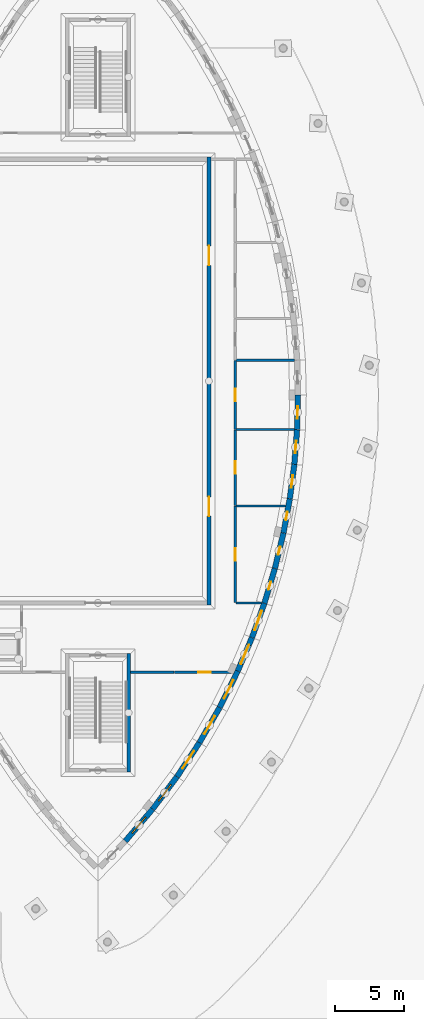
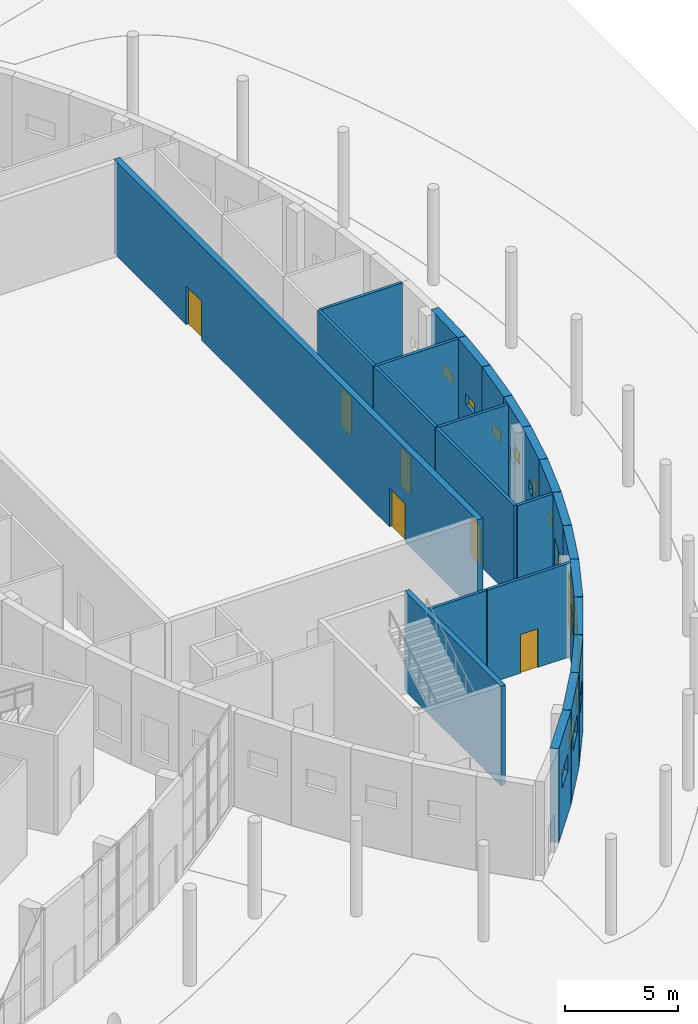
# One storey, part 65 of 82: 24 walls, 13 windows, 6 doors, 19 openings.
"""IFC4 building model written with IfcOpenShell, lengths in metres."""

from ifc_helpers import new_model, si_unit, direction, frame, frame_2d, origin, place, context, subcontext, project, spatial, rectangle, extrude, material, layer, layer_set, type_object, element, fill, save


model = new_model("IFC4")

# Units and contexts
model_context = context("Model", 3, precision=1e-05, world=origin(), true_north=direction((0.0, 1.0)))
body_context = subcontext(model_context, "Body", "Model", "MODEL_VIEW")
ifc_project = project(units=[si_unit("LENGTHUNIT", "METRE"), si_unit("AREAUNIT", "SQUARE_METRE"), si_unit("VOLUMEUNIT", "CUBIC_METRE"), si_unit("PLANEANGLEUNIT", "RADIAN"), si_unit("MASSUNIT", "GRAM", prefix="KILO")], contexts=[model_context])

# Site, building, storey
site_placement = place(None, origin())
site = spatial("IfcSite", under=ifc_project, at=site_placement, CompositionType="ELEMENT")
building_placement = place(site_placement, origin())
building = spatial("IfcBuilding", under=site, at=building_placement, Name="Tide Square Theatres", CompositionType="ELEMENT")
storey_placement = place(building_placement, origin())
storey = spatial("IfcBuildingStorey", under=building, at=storey_placement, Name="L00", CompositionType="ELEMENT", Elevation=0.0)

# Wall, opening, door
ifc_material_1 = material(Name="Gypsum board on steel studs", Category="steel")
ifc_layer_1 = layer(ifc_material_1, 0.14990234375)
ifc_layer_set_1 = layer_set([ifc_layer_1], Name="Gypsum board on steel studs")
wall_type_1 = type_object("IfcWallType", Name="Partition 150 thick", PredefinedType="PARTITIONING", material=ifc_layer_set_1)
wall_1_placement = place(storey_placement, frame((141.89990234375, 36.97998046875, 0.0), z_axis=(0.0, 0.0, 1.0), x_axis=(0.0, -1.0, 0.0)))
wall_1 = element("IfcWall", 1, at=wall_1_placement, inside=storey, type_object=wall_type_1, Name="Black Box Theatre partition", PredefinedType="PARTITIONING", context=body_context, shape_type="SweptSolid", body=[
    extrude(rectangle(XDim=6.9599609375, YDim=0.14990234375, at=frame_2d((3.47998046875, 0.0))), origin(), (0.0, 0.0, 1.0), 5.10009765625),
])
opening_1_placement = place(wall_1_placement, frame((3.030029296875, 0.0, 0.0)))
opening_1 = element("IfcOpeningElement", 2, at=opening_1_placement, cuts=wall_1, Name="Opening B00-16", PredefinedType="OPENING", context=body_context, shape_type="SweptSolid", body=[
    extrude(rectangle(XDim=0.89990234375, YDim=2.10009765625, at=frame_2d((0.449951171875, 1.050048828125))), frame((0.0, 0.0849609375, 0.0), z_axis=(0.0, -1.0, 0.0), x_axis=(1.0, 0.0, 0.0)), (0.0, 0.0, 1.0), 0.169921875),
])
ifc_material_2 = material(Name="Hardwood timber", Category="wood")
door_type_1 = type_object("IfcDoorType", Name="Door 900 x 2100 single leaf", OperationType="NOTDEFINED", PredefinedType="DOOR", material=ifc_material_2)
door_1_placement = place(opening_1_placement, origin())
door_1 = element("IfcDoor", 3, at=door_1_placement, inside=storey, type_object=door_type_1, Name="Plant Room 01 door", OperationType="SINGLE_SWING_RIGHT", OverallHeight=2.10009765625, OverallWidth=0.89990234375, PredefinedType="DOOR", context=body_context, shape_type="SweptSolid", body=[
    extrude(rectangle(XDim=0.89990234375, YDim=2.10009765625, at=frame_2d((0.449951171875, 1.050048828125))), frame((0.0, 0.02490234375, 0.0), z_axis=(0.0, -1.0, 0.0), x_axis=(1.0, 0.0, 0.0)), (0.0, 0.0, 1.0), 0.050048828125),
])
fill(opening_1, door_1)

wall_2_placement = place(storey_placement, frame((141.89990234375, 42.47998046875, 0.0), z_axis=(0.0, 0.0, 1.0), x_axis=(0.0, -1.0, 0.0)))
wall_2 = element("IfcWall", 4, at=wall_2_placement, inside=storey, type_object=wall_type_1, Name="Black Box Theatre partition", PredefinedType="PARTITIONING", context=body_context, shape_type="SweptSolid", body=[
    extrude(rectangle(XDim=5.4599609375, YDim=0.14990234375, at=frame_2d((2.72998046875, 0.0))), origin(), (0.0, 0.0, 1.0), 5.10009765625),
])
opening_2_placement = place(wall_2_placement, frame((2.280029296875, 0.0, 0.0)))
opening_2 = element("IfcOpeningElement", 5, at=opening_2_placement, cuts=wall_2, Name="Opening B00-17", PredefinedType="OPENING", context=body_context, shape_type="SweptSolid", body=[
    extrude(rectangle(XDim=0.89990234375, YDim=2.10009765625, at=frame_2d((0.449951171875, 1.050048828125))), frame((0.0, 0.0849609375, 0.0), z_axis=(0.0, -1.0, 0.0), x_axis=(1.0, 0.0, 0.0)), (0.0, 0.0, 1.0), 0.169921875),
])
door_2_placement = place(opening_2_placement, origin())
door_2 = element("IfcDoor", 6, at=door_2_placement, inside=storey, type_object=door_type_1, Name="Women's WC door", OperationType="SINGLE_SWING_RIGHT", OverallHeight=2.10009765625, OverallWidth=0.89990234375, PredefinedType="DOOR", context=body_context, shape_type="SweptSolid", body=[
    extrude(rectangle(XDim=0.89990234375, YDim=2.10009765625, at=frame_2d((0.449951171875, 1.050048828125))), frame((0.0, 0.02490234375, 0.0), z_axis=(0.0, -1.0, 0.0), x_axis=(1.0, 0.0, 0.0)), (0.0, 0.0, 1.0), 0.050048828125),
])
fill(opening_2, door_2)

wall_3_placement = place(storey_placement, frame((141.89990234375, 47.47998046875, 0.0), z_axis=(0.0, 0.0, 1.0), x_axis=(0.0, -1.0, 0.0)))
wall_3 = element("IfcWall", 7, at=wall_3_placement, inside=storey, type_object=wall_type_1, Name="Black Box Theatre partition", PredefinedType="PARTITIONING", context=body_context, shape_type="SweptSolid", body=[
    extrude(rectangle(XDim=4.9599609375, YDim=0.14990234375, at=frame_2d((2.47998046875, 0.0))), origin(), (0.0, 0.0, 1.0), 5.10009765625),
])
opening_3_placement = place(wall_3_placement, frame((2.030029296875, 0.0, 0.0)))
opening_3 = element("IfcOpeningElement", 8, at=opening_3_placement, cuts=wall_3, Name="Opening B00-18", PredefinedType="OPENING", context=body_context, shape_type="SweptSolid", body=[
    extrude(rectangle(XDim=0.89990234375, YDim=2.10009765625, at=frame_2d((0.449951171875, 1.050048828125))), frame((0.0, 0.0849609375, 0.0), z_axis=(0.0, -1.0, 0.0), x_axis=(1.0, 0.0, 0.0)), (0.0, 0.0, 1.0), 0.169921875),
])
door_3_placement = place(opening_3_placement, origin())
door_3 = element("IfcDoor", 9, at=door_3_placement, inside=storey, type_object=door_type_1, Name="Men's WC door", OperationType="SINGLE_SWING_RIGHT", OverallHeight=2.10009765625, OverallWidth=0.89990234375, PredefinedType="DOOR", context=body_context, shape_type="SweptSolid", body=[
    extrude(rectangle(XDim=0.89990234375, YDim=2.10009765625, at=frame_2d((0.449951171875, 1.050048828125))), frame((0.0, 0.02490234375, 0.0), z_axis=(0.0, -1.0, 0.0), x_axis=(1.0, 0.0, 0.0)), (0.0, 0.0, 1.0), 0.050048828125),
])
fill(opening_3, door_3)

# Wall
wall_4_placement = place(storey_placement, frame((137.47998046875, 25.0, 0.0), z_axis=(0.0, 0.0, 1.0), x_axis=(-1.0, 0.0, 0.0)))
element("IfcWall", 10, at=wall_4_placement, inside=storey, type_object=wall_type_1, Name="Black Box Theatre partition", PredefinedType="PARTITIONING", context=body_context, shape_type="SweptSolid", body=[
    extrude(rectangle(XDim=3.13037109375, YDim=0.14990234375, at=frame_2d((1.565185546875, 0.0))), origin(), (0.0, 0.0, 1.0), 5.10009765625),
])

# Wall, opening, door
wall_5_placement = place(storey_placement, frame((141.81591796875, 25.0, 0.0), z_axis=(0.0, 0.0, 1.0), x_axis=(-1.0, 0.0, 0.0)))
wall_5 = element("IfcWall", 11, at=wall_5_placement, inside=storey, type_object=wall_type_1, Name="Black Box Theatre partition", PredefinedType="PARTITIONING", context=body_context, shape_type="SweptSolid", body=[
    extrude(rectangle(XDim=4.2958984375, YDim=0.14990234375, at=frame_2d((2.14794921875, 0.0))), origin(), (0.0, 0.0, 1.0), 5.10009765625),
])
opening_4_placement = place(wall_5_placement, frame((1.697998046875, 0.0, 0.0)))
opening_4 = element("IfcOpeningElement", 12, at=opening_4_placement, cuts=wall_5, Name="Opening B00-08", PredefinedType="OPENING", context=body_context, shape_type="SweptSolid", body=[
    extrude(rectangle(XDim=0.89990234375, YDim=2.10009765625, at=frame_2d((0.449951171875, 1.050048828125))), frame((0.0, 0.0849609375, 0.0), z_axis=(0.0, -1.0, 0.0), x_axis=(1.0, 0.0, 0.0)), (0.0, 0.0, 1.0), 0.169921875),
])
door_4_placement = place(opening_4_placement, origin())
door_4 = element("IfcDoor", 13, at=door_4_placement, inside=storey, type_object=door_type_1, Name="Technical Store door", OperationType="SINGLE_SWING_RIGHT", OverallHeight=2.10009765625, OverallWidth=0.89990234375, PredefinedType="DOOR", context=body_context, shape_type="SweptSolid", body=[
    extrude(rectangle(XDim=0.89990234375, YDim=2.10009765625, at=frame_2d((0.449951171875, 1.050048828125))), frame((0.0, 0.02490234375, 0.0), z_axis=(0.0, -1.0, 0.0), x_axis=(1.0, 0.0, 0.0)), (0.0, 0.0, 1.0), 0.050048828125),
])
fill(opening_4, door_4)

# Walls
wall_6_placement = place(storey_placement, frame((141.9599609375, 30.0, 0.0), z_axis=(0.0, 0.0, 1.0), x_axis=(1.0, 0.0, 0.0)))
element("IfcWall", 14, at=wall_6_placement, inside=storey, type_object=wall_type_1, Name="Black Box Theatre partition", PredefinedType="PARTITIONING", context=body_context, shape_type="SweptSolid", body=[
    extrude(rectangle(XDim=1.831298828125, YDim=0.14990234375, at=frame_2d((0.91552734375, 0.0))), origin(), (0.0, 0.0, 1.0), 5.10009765625),
])
wall_7_placement = place(storey_placement, frame((141.9599609375, 37.0, 0.0), z_axis=(0.0, 0.0, 1.0), x_axis=(1.0, 0.0, 0.0)))
element("IfcWall", 15, at=wall_7_placement, inside=storey, type_object=wall_type_1, Name="Black Box Theatre partition", PredefinedType="PARTITIONING", context=body_context, shape_type="SweptSolid", body=[
    extrude(rectangle(XDim=3.5791015625, YDim=0.14990234375, at=frame_2d((1.78955078125, 0.0))), origin(), (0.0, 0.0, 1.0), 5.10009765625),
])
for number, where, z_axis, x_axis, name in (
    (16, (141.9599609375, 42.5, 0.0), (0.0, 0.0, 1.0), (1.0, 0.0, 0.0), "Black Box Theatre partition"),
    (17, (141.9599609375, 47.5, 0.0), (0.0, 0.0, 1.0), (1.0, 0.0, 0.0), "Black Box Theatre partition"),
):
    element("IfcWall", number, at=place(storey_placement, frame(where, z_axis=z_axis, x_axis=x_axis)), inside=storey, type_object=wall_type_1, Name=name, PredefinedType="PARTITIONING", context=body_context, shape_type="SweptSolid", body=[
        extrude(rectangle(XDim=4.20166015625, YDim=0.14990234375, at=frame_2d((2.100830078125, 0.0))), origin(), (0.0, 0.0, 1.0), 5.10009765625),
    ])

# Wall, opening, window
ifc_material_3 = material(Name="Concrete C40", Category="concrete")
ifc_layer_2 = layer(ifc_material_3, 0.39990234375)
ifc_layer_set_2 = layer_set([ifc_layer_2], Name="Concrete C40")
wall_type_2 = type_object("IfcWallType", Name="RC curved wall 400 thick", PredefinedType="SOLIDWALL", material=ifc_layer_set_2)
wall_8_placement = place(storey_placement, frame((133.97607421875, 12.824462890625, 0.0), z_axis=(0.0, 0.0, 1.0), x_axis=(0.649458578854, 0.760396971557, 0.0)))
wall_8 = element("IfcWall", 18, at=wall_8_placement, inside=storey, type_object=wall_type_2, Name="Black Box Theatre perimeter wall", PredefinedType="SOLIDWALL", context=body_context, shape_type="SweptSolid", body=[
    extrude(rectangle(XDim=3.019287109375, YDim=0.39990234375, at=frame_2d((1.509765625, 0.0))), origin(), (0.0, 0.0, 1.0), 5.10009765625),
])
opening_5_placement = place(wall_8_placement, frame((0.759521484375, 0.0, 2.39990234375)))
opening_5 = element("IfcOpeningElement", 19, at=opening_5_placement, cuts=wall_8, Name="Opening WN-04", PredefinedType="OPENING", context=body_context, shape_type="SweptSolid", body=[
    extrude(rectangle(XDim=1.5, YDim=0.89990234375, at=frame_2d((0.75, 0.449951171875))), frame((0.0, 0.2099609375, 0.0), z_axis=(0.0, -1.0, 0.0), x_axis=(1.0, 0.0, 0.0)), (0.0, 0.0, 1.0), 0.419921875),
])
ifc_material_4 = material(Name="Aluminium with laminated glass", Category="aluminium")
window_type_1 = type_object("IfcWindowType", Name="Window 1500 x 900", PartitioningType="SINGLE_PANEL", PredefinedType="WINDOW", material=ifc_material_4)
window_1_placement = place(opening_5_placement, origin())
window_1 = element("IfcWindow", 20, at=window_1_placement, inside=storey, type_object=window_type_1, Name="Black Box Theatre Technical Store window", OverallHeight=0.89990234375, OverallWidth=1.5, PartitioningType="SINGLE_PANEL", PredefinedType="WINDOW", context=body_context, shape_type="SweptSolid", body=[
    extrude(rectangle(XDim=1.5, YDim=0.89990234375, at=frame_2d((0.75, 0.449951171875))), frame((0.0, 0.030029296875, 0.0), z_axis=(0.0, -1.0, 0.0), x_axis=(1.0, 0.0, 0.0)), (0.0, 0.0, 1.0), 0.06005859375),
])
fill(opening_5, window_1)

wall_9_placement = place(storey_placement, frame((135.944580078125, 15.130126953125, 0.0), z_axis=(0.0, 0.0, 1.0), x_axis=(0.600829330321, 0.799377330068, 0.0)))
wall_9 = element("IfcWall", 21, at=wall_9_placement, inside=storey, type_object=wall_type_2, Name="Black Box Theatre perimeter wall", PredefinedType="SOLIDWALL", context=body_context, shape_type="SweptSolid", body=[
    extrude(rectangle(XDim=2.919189453125, YDim=0.39990234375, at=frame_2d((1.45947265625, 0.0))), origin(), (0.0, 0.0, 1.0), 5.10009765625),
])
opening_6_placement = place(wall_9_placement, frame((0.709716796875, 0.0, 2.39990234375)))
opening_6 = element("IfcOpeningElement", 22, at=opening_6_placement, cuts=wall_9, Name="Opening WN-04", PredefinedType="OPENING", context=body_context, shape_type="SweptSolid", body=[
    extrude(rectangle(XDim=1.5, YDim=0.89990234375, at=frame_2d((0.75, 0.449951171875))), frame((0.0, 0.2099609375, 0.0), z_axis=(0.0, -1.0, 0.0), x_axis=(1.0, 0.0, 0.0)), (0.0, 0.0, 1.0), 0.419921875),
])
window_2_placement = place(opening_6_placement, origin())
window_2 = element("IfcWindow", 23, at=window_2_placement, inside=storey, type_object=window_type_1, Name="Black Box Theatre Technical Store window", OverallHeight=0.89990234375, OverallWidth=1.5, PartitioningType="SINGLE_PANEL", PredefinedType="WINDOW", context=body_context, shape_type="SweptSolid", body=[
    extrude(rectangle(XDim=1.5, YDim=0.89990234375, at=frame_2d((0.75, 0.449951171875))), frame((0.0, 0.030029296875, 0.0), z_axis=(0.0, -1.0, 0.0), x_axis=(1.0, 0.0, 0.0)), (0.0, 0.0, 1.0), 0.06005859375),
])
fill(opening_6, window_2)

wall_10_placement = place(storey_placement, frame((137.70556640625, 17.4736328125, 0.0), z_axis=(0.0, 0.0, 1.0), x_axis=(0.550602185206, 0.834767772285, 0.0)))
wall_10 = element("IfcWall", 24, at=wall_10_placement, inside=storey, type_object=wall_type_2, Name="Black Box Theatre perimeter wall", PredefinedType="SOLIDWALL", context=body_context, shape_type="SweptSolid", body=[
    extrude(rectangle(XDim=2.91943359375, YDim=0.39990234375, at=frame_2d((1.459716796875, 0.0))), origin(), (0.0, 0.0, 1.0), 5.10009765625),
])
opening_7_placement = place(wall_10_placement, frame((0.709716796875, 0.0, 2.39990234375)))
opening_7 = element("IfcOpeningElement", 25, at=opening_7_placement, cuts=wall_10, Name="Opening WN-04", PredefinedType="OPENING", context=body_context, shape_type="SweptSolid", body=[
    extrude(rectangle(XDim=1.5, YDim=0.89990234375, at=frame_2d((0.75, 0.449951171875))), frame((0.0, 0.2099609375, 0.0), z_axis=(0.0, -1.0, 0.0), x_axis=(1.0, 0.0, 0.0)), (0.0, 0.0, 1.0), 0.419921875),
])
window_3_placement = place(opening_7_placement, origin())
window_3 = element("IfcWindow", 26, at=window_3_placement, inside=storey, type_object=window_type_1, Name="Black Box Theatre Technical Store window", OverallHeight=0.89990234375, OverallWidth=1.5, PartitioningType="SINGLE_PANEL", PredefinedType="WINDOW", context=body_context, shape_type="SweptSolid", body=[
    extrude(rectangle(XDim=1.5, YDim=0.89990234375, at=frame_2d((0.75, 0.449951171875))), frame((0.0, 0.030029296875, 0.0), z_axis=(0.0, -1.0, 0.0), x_axis=(1.0, 0.0, 0.0)), (0.0, 0.0, 1.0), 0.06005859375),
])
fill(opening_7, window_3)

wall_11_placement = place(storey_placement, frame((139.3193359375, 19.9208984375, 0.0), z_axis=(0.0, 0.0, 1.0), x_axis=(0.498406705095, 0.866943340892, 0.0)))
wall_11 = element("IfcWall", 27, at=wall_11_placement, inside=storey, type_object=wall_type_2, Name="Black Box Theatre perimeter wall", PredefinedType="SOLIDWALL", context=body_context, shape_type="SweptSolid", body=[
    extrude(rectangle(XDim=2.91943359375, YDim=0.39990234375, at=frame_2d((1.459716796875, 0.0))), origin(), (0.0, 0.0, 1.0), 5.10009765625),
])
opening_8_placement = place(wall_11_placement, frame((0.709716796875, 0.0, 2.39990234375)))
opening_8 = element("IfcOpeningElement", 28, at=opening_8_placement, cuts=wall_11, Name="Opening WN-04", PredefinedType="OPENING", context=body_context, shape_type="SweptSolid", body=[
    extrude(rectangle(XDim=1.5, YDim=0.89990234375, at=frame_2d((0.75, 0.449951171875))), frame((0.0, 0.2099609375, 0.0), z_axis=(0.0, -1.0, 0.0), x_axis=(1.0, 0.0, 0.0)), (0.0, 0.0, 1.0), 0.419921875),
])
window_4_placement = place(opening_8_placement, origin())
window_4 = element("IfcWindow", 29, at=window_4_placement, inside=storey, type_object=window_type_1, Name="Black Box Theatre Technical Store window", OverallHeight=0.89990234375, OverallWidth=1.5, PartitioningType="SINGLE_PANEL", PredefinedType="WINDOW", context=body_context, shape_type="SweptSolid", body=[
    extrude(rectangle(XDim=1.5, YDim=0.89990234375, at=frame_2d((0.75, 0.449951171875))), frame((0.0, 0.030029296875, 0.0), z_axis=(0.0, -1.0, 0.0), x_axis=(1.0, 0.0, 0.0)), (0.0, 0.0, 1.0), 0.06005859375),
])
fill(opening_8, window_4)

wall_12_placement = place(storey_placement, frame((140.7802734375, 22.462646484375, 0.0), z_axis=(0.0, 0.0, 1.0), x_axis=(0.44433489597, 0.895860759395, 0.0)))
wall_12 = element("IfcWall", 30, at=wall_12_placement, inside=storey, type_object=wall_type_2, Name="Black Box Theatre perimeter wall", PredefinedType="SOLIDWALL", context=body_context, shape_type="SweptSolid", body=[
    extrude(rectangle(XDim=2.919677734375, YDim=0.39990234375, at=frame_2d((1.4599609375, 0.0))), origin(), (0.0, 0.0, 1.0), 5.10009765625),
])
opening_9_placement = place(wall_12_placement, frame((0.7099609375, 0.0, 2.39990234375)))
opening_9 = element("IfcOpeningElement", 31, at=opening_9_placement, cuts=wall_12, Name="Opening WN-04", PredefinedType="OPENING", context=body_context, shape_type="SweptSolid", body=[
    extrude(rectangle(XDim=1.5, YDim=0.89990234375, at=frame_2d((0.75, 0.449951171875))), frame((0.0, 0.2099609375, 0.0), z_axis=(0.0, -1.0, 0.0), x_axis=(1.0, 0.0, 0.0)), (0.0, 0.0, 1.0), 0.419921875),
])
window_5_placement = place(opening_9_placement, origin())
window_5 = element("IfcWindow", 32, at=window_5_placement, inside=storey, type_object=window_type_1, Name="Black Box Theatre Technical Store window", OverallHeight=0.89990234375, OverallWidth=1.5, PartitioningType="SINGLE_PANEL", PredefinedType="WINDOW", context=body_context, shape_type="SweptSolid", body=[
    extrude(rectangle(XDim=1.5, YDim=0.89990234375, at=frame_2d((0.75, 0.449951171875))), frame((0.0, 0.030029296875, 0.0), z_axis=(0.0, -1.0, 0.0), x_axis=(1.0, 0.0, 0.0)), (0.0, 0.0, 1.0), 0.06005859375),
])
fill(opening_9, window_5)

wall_13_placement = place(storey_placement, frame((142.08251953125, 25.089111328125, 0.0), z_axis=(0.0, 0.0, 1.0), x_axis=(0.391529943778, 0.920165367271, 0.0)))
wall_13 = element("IfcWall", 33, at=wall_13_placement, inside=storey, type_object=wall_type_2, Name="Black Box Theatre perimeter wall", PredefinedType="SOLIDWALL", context=body_context, shape_type="SweptSolid", body=[
    extrude(rectangle(XDim=2.61572265625, YDim=0.39990234375, at=frame_2d((1.307861328125, 0.0))), origin(), (0.0, 0.0, 1.0), 5.10009765625),
])
opening_10_placement = place(wall_13_placement, frame((0.55810546875, 0.0, 0.300048828125)))
opening_10 = element("IfcOpeningElement", 34, at=opening_10_placement, cuts=wall_13, Name="Opening WN-02", PredefinedType="OPENING", context=body_context, shape_type="SweptSolid", body=[
    extrude(rectangle(XDim=1.5, YDim=2.699951171875, at=frame_2d((0.75, 1.35009765625))), frame((0.0, 0.2099609375, 0.0), z_axis=(0.0, -1.0, 0.0), x_axis=(1.0, 0.0, 0.0)), (0.0, 0.0, 1.0), 0.419921875),
])
ifc_material_5 = material(Name="Aluminium with laminated glass", Category="aluminium")
window_type_2 = type_object("IfcWindowType", Name="Window 1500 x 2700", PartitioningType="SINGLE_PANEL", PredefinedType="WINDOW", material=ifc_material_5)
window_6_placement = place(opening_10_placement, origin())
window_6 = element("IfcWindow", 35, at=window_6_placement, inside=storey, type_object=window_type_2, Name="Black Box Theatre Black Box Entrance Lobby window", OverallHeight=2.699951171875, OverallWidth=1.5, PartitioningType="SINGLE_PANEL", PredefinedType="WINDOW", context=body_context, shape_type="SweptSolid", body=[
    extrude(rectangle(XDim=1.5, YDim=2.699951171875, at=frame_2d((0.75, 1.35009765625))), frame((0.0, 0.030029296875, 0.0), z_axis=(0.0, -1.0, 0.0), x_axis=(1.0, 0.0, 0.0)), (0.0, 0.0, 1.0), 0.06005859375),
])
fill(opening_10, window_6)

wall_14_placement = place(storey_placement, frame((143.110595703125, 27.50634765625, 0.0), z_axis=(0.0, 0.0, 1.0), x_axis=(0.340394146267, 0.940282843184, 0.0)))
wall_14 = element("IfcWall", 36, at=wall_14_placement, inside=storey, type_object=wall_type_2, Name="Black Box Theatre perimeter wall", PredefinedType="SOLIDWALL", context=body_context, shape_type="SweptSolid", body=[
    extrude(rectangle(XDim=2.616455078125, YDim=0.39990234375, at=frame_2d((1.30810546875, 0.0))), origin(), (0.0, 0.0, 1.0), 5.10009765625),
])
opening_11_placement = place(wall_14_placement, frame((0.558349609375, 0.0, 0.300048828125)))
opening_11 = element("IfcOpeningElement", 37, at=opening_11_placement, cuts=wall_14, Name="Opening WN-02", PredefinedType="OPENING", context=body_context, shape_type="SweptSolid", body=[
    extrude(rectangle(XDim=1.5, YDim=2.699951171875, at=frame_2d((0.75, 1.35009765625))), frame((0.0, 0.2099609375, 0.0), z_axis=(0.0, -1.0, 0.0), x_axis=(1.0, 0.0, 0.0)), (0.0, 0.0, 1.0), 0.419921875),
])
window_7_placement = place(opening_11_placement, origin())
window_7 = element("IfcWindow", 38, at=window_7_placement, inside=storey, type_object=window_type_2, Name="Black Box Theatre Black Box Entrance Lobby window", OverallHeight=2.699951171875, OverallWidth=1.5, PartitioningType="SINGLE_PANEL", PredefinedType="WINDOW", context=body_context, shape_type="SweptSolid", body=[
    extrude(rectangle(XDim=1.5, YDim=2.699951171875, at=frame_2d((0.75, 1.35009765625))), frame((0.0, 0.030029296875, 0.0), z_axis=(0.0, -1.0, 0.0), x_axis=(1.0, 0.0, 0.0)), (0.0, 0.0, 1.0), 0.06005859375),
])
fill(opening_11, window_7)

wall_15_placement = place(storey_placement, frame((144.004638671875, 29.97705078125, 0.0), z_axis=(0.0, 0.0, 1.0), x_axis=(0.288212317298, 0.957566530408, 0.0)))
wall_15 = element("IfcWall", 39, at=wall_15_placement, inside=storey, type_object=wall_type_2, Name="Black Box Theatre perimeter wall", PredefinedType="SOLIDWALL", context=body_context, shape_type="SweptSolid", body=[
    extrude(rectangle(XDim=2.61669921875, YDim=0.39990234375, at=frame_2d((1.308349609375, 0.0))), origin(), (0.0, 0.0, 1.0), 5.10009765625),
])
opening_12_placement = place(wall_15_placement, frame((1.00830078125, 0.0, 2.39990234375)))
opening_12 = element("IfcOpeningElement", 40, at=opening_12_placement, cuts=wall_15, Name="Opening WN-13", PredefinedType="OPENING", context=body_context, shape_type="SweptSolid", body=[
    extrude(rectangle(XDim=0.60009765625, YDim=0.60009765625, at=frame_2d((0.300048828125, 0.300048828125))), frame((0.0, 0.2099609375, 0.0), z_axis=(0.0, -1.0, 0.0), x_axis=(1.0, 0.0, 0.0)), (0.0, 0.0, 1.0), 0.419921875),
])
ifc_material_6 = material(Name="Aluminium with laminated glass", Category="aluminium")
window_type_3 = type_object("IfcWindowType", Name="Window 600 x 600", PartitioningType="SINGLE_PANEL", PredefinedType="WINDOW", material=ifc_material_6)
window_8_placement = place(opening_12_placement, origin())
window_8 = element("IfcWindow", 41, at=window_8_placement, inside=storey, type_object=window_type_3, Name="Black Box Theatre Plant Room 01 window", OverallHeight=0.60009765625, OverallWidth=0.60009765625, PartitioningType="SINGLE_PANEL", PredefinedType="WINDOW", context=body_context, shape_type="SweptSolid", body=[
    extrude(rectangle(XDim=0.60009765625, YDim=0.60009765625, at=frame_2d((0.300048828125, 0.300048828125))), frame((0.0, 0.030029296875, 0.0), z_axis=(0.0, -1.0, 0.0), x_axis=(1.0, 0.0, 0.0)), (0.0, 0.0, 1.0), 0.06005859375),
])
fill(opening_12, window_8)

wall_16_placement = place(storey_placement, frame((144.76171875, 32.4931640625, 0.0), z_axis=(0.0, 0.0, 1.0), x_axis=(0.235108668597, 0.971969091047, 0.0)))
wall_16 = element("IfcWall", 42, at=wall_16_placement, inside=storey, type_object=wall_type_2, Name="Black Box Theatre perimeter wall", PredefinedType="SOLIDWALL", context=body_context, shape_type="SweptSolid", body=[
    extrude(rectangle(XDim=2.61669921875, YDim=0.39990234375, at=frame_2d((1.308349609375, 0.0))), origin(), (0.0, 0.0, 1.0), 5.10009765625),
])
opening_13_placement = place(wall_16_placement, frame((1.00830078125, 0.0, 2.39990234375)))
opening_13 = element("IfcOpeningElement", 43, at=opening_13_placement, cuts=wall_16, Name="Opening WN-13", PredefinedType="OPENING", context=body_context, shape_type="SweptSolid", body=[
    extrude(rectangle(XDim=0.60009765625, YDim=0.60009765625, at=frame_2d((0.300048828125, 0.300048828125))), frame((0.0, 0.2099609375, 0.0), z_axis=(0.0, -1.0, 0.0), x_axis=(1.0, 0.0, 0.0)), (0.0, 0.0, 1.0), 0.419921875),
])
window_9_placement = place(opening_13_placement, origin())
window_9 = element("IfcWindow", 44, at=window_9_placement, inside=storey, type_object=window_type_3, Name="Black Box Theatre Plant Room 01 window", OverallHeight=0.60009765625, OverallWidth=0.60009765625, PartitioningType="SINGLE_PANEL", PredefinedType="WINDOW", context=body_context, shape_type="SweptSolid", body=[
    extrude(rectangle(XDim=0.60009765625, YDim=0.60009765625, at=frame_2d((0.300048828125, 0.300048828125))), frame((0.0, 0.030029296875, 0.0), z_axis=(0.0, -1.0, 0.0), x_axis=(1.0, 0.0, 0.0)), (0.0, 0.0, 1.0), 0.06005859375),
])
fill(opening_13, window_9)

wall_17_placement = place(storey_placement, frame((145.379150390625, 35.047119140625, 0.0), z_axis=(0.0, 0.0, 1.0), x_axis=(0.182652956339, 0.983177449671, 0.0)))
wall_17 = element("IfcWall", 45, at=wall_17_placement, inside=storey, type_object=wall_type_2, Name="Black Box Theatre perimeter wall", PredefinedType="SOLIDWALL", context=body_context, shape_type="SweptSolid", body=[
    extrude(rectangle(XDim=2.496826171875, YDim=0.39990234375, at=frame_2d((1.24853515625, 0.0))), origin(), (0.0, 0.0, 1.0), 5.10009765625),
])
opening_14_placement = place(wall_17_placement, frame((0.948486328125, 0.0, 2.39990234375)))
opening_14 = element("IfcOpeningElement", 46, at=opening_14_placement, cuts=wall_17, Name="Opening WN-13", PredefinedType="OPENING", context=body_context, shape_type="SweptSolid", body=[
    extrude(rectangle(XDim=0.60009765625, YDim=0.60009765625, at=frame_2d((0.300048828125, 0.300048828125))), frame((0.0, 0.2099609375, 0.0), z_axis=(0.0, -1.0, 0.0), x_axis=(1.0, 0.0, 0.0)), (0.0, 0.0, 1.0), 0.419921875),
])
window_10_placement = place(opening_14_placement, origin())
window_10 = element("IfcWindow", 47, at=window_10_placement, inside=storey, type_object=window_type_3, Name="Black Box Theatre Plant Room 01 window", OverallHeight=0.60009765625, OverallWidth=0.60009765625, PartitioningType="SINGLE_PANEL", PredefinedType="WINDOW", context=body_context, shape_type="SweptSolid", body=[
    extrude(rectangle(XDim=0.60009765625, YDim=0.60009765625, at=frame_2d((0.300048828125, 0.300048828125))), frame((0.0, 0.030029296875, 0.0), z_axis=(0.0, -1.0, 0.0), x_axis=(1.0, 0.0, 0.0)), (0.0, 0.0, 1.0), 0.06005859375),
])
fill(opening_14, window_10)

wall_18_placement = place(storey_placement, frame((145.8369140625, 37.512451171875, 0.0), z_axis=(0.0, 0.0, 1.0), x_axis=(0.130722601708, 0.991418983782, 0.0)))
wall_18 = element("IfcWall", 48, at=wall_18_placement, inside=storey, type_object=wall_type_2, Name="Black Box Theatre perimeter wall", PredefinedType="SOLIDWALL", context=body_context, shape_type="SweptSolid", body=[
    extrude(rectangle(XDim=2.4970703125, YDim=0.39990234375, at=frame_2d((1.24853515625, 0.0))), origin(), (0.0, 0.0, 1.0), 5.10009765625),
])
opening_15_placement = place(wall_18_placement, frame((0.798583984375, 0.0, 2.0)))
opening_15 = element("IfcOpeningElement", 49, at=opening_15_placement, cuts=wall_18, Name="Opening WN-12", PredefinedType="OPENING", context=body_context, shape_type="SweptSolid", body=[
    extrude(rectangle(XDim=0.89990234375, YDim=0.60009765625, at=frame_2d((0.449951171875, 0.300048828125))), frame((0.0, 0.2099609375, 0.0), z_axis=(0.0, -1.0, 0.0), x_axis=(1.0, 0.0, 0.0)), (0.0, 0.0, 1.0), 0.419921875),
])
ifc_material_7 = material(Name="Aluminium with laminated glass", Category="aluminium")
window_type_4 = type_object("IfcWindowType", Name="Window 900 x 600", PartitioningType="SINGLE_PANEL", PredefinedType="WINDOW", material=ifc_material_7)
window_11_placement = place(opening_15_placement, origin())
window_11 = element("IfcWindow", 50, at=window_11_placement, inside=storey, type_object=window_type_4, Name="Black Box Theatre Women's WC window", OverallHeight=0.60009765625, OverallWidth=0.89990234375, PartitioningType="SINGLE_PANEL", PredefinedType="WINDOW", context=body_context, shape_type="SweptSolid", body=[
    extrude(rectangle(XDim=0.89990234375, YDim=0.60009765625, at=frame_2d((0.449951171875, 0.300048828125))), frame((0.0, 0.030029296875, 0.0), z_axis=(0.0, -1.0, 0.0), x_axis=(1.0, 0.0, 0.0)), (0.0, 0.0, 1.0), 0.06005859375),
])
fill(opening_15, window_11)

wall_19_placement = place(storey_placement, frame((146.16455078125, 39.99853515625, 0.0), z_axis=(0.0, 0.0, 1.0), x_axis=(0.078602769132, 0.996906015974, 0.0)))
wall_19 = element("IfcWall", 51, at=wall_19_placement, inside=storey, type_object=wall_type_2, Name="Black Box Theatre perimeter wall", PredefinedType="SOLIDWALL", context=body_context, shape_type="SweptSolid", body=[
    extrude(rectangle(XDim=2.497314453125, YDim=0.39990234375, at=frame_2d((1.24853515625, 0.0))), origin(), (0.0, 0.0, 1.0), 5.10009765625),
])
opening_16_placement = place(wall_19_placement, frame((0.798583984375, 0.0, 2.0)))
opening_16 = element("IfcOpeningElement", 52, at=opening_16_placement, cuts=wall_19, Name="Opening WN-12", PredefinedType="OPENING", context=body_context, shape_type="SweptSolid", body=[
    extrude(rectangle(XDim=0.89990234375, YDim=0.60009765625, at=frame_2d((0.449951171875, 0.300048828125))), frame((0.0, 0.2099609375, 0.0), z_axis=(0.0, -1.0, 0.0), x_axis=(1.0, 0.0, 0.0)), (0.0, 0.0, 1.0), 0.419921875),
])
window_12_placement = place(opening_16_placement, origin())
window_12 = element("IfcWindow", 53, at=window_12_placement, inside=storey, type_object=window_type_4, Name="Black Box Theatre Women's WC window", OverallHeight=0.60009765625, OverallWidth=0.89990234375, PartitioningType="SINGLE_PANEL", PredefinedType="WINDOW", context=body_context, shape_type="SweptSolid", body=[
    extrude(rectangle(XDim=0.89990234375, YDim=0.60009765625, at=frame_2d((0.449951171875, 0.300048828125))), frame((0.0, 0.030029296875, 0.0), z_axis=(0.0, -1.0, 0.0), x_axis=(1.0, 0.0, 0.0)), (0.0, 0.0, 1.0), 0.06005859375),
])
fill(opening_16, window_12)

wall_20_placement = place(storey_placement, frame((146.361328125, 42.498291015625, 0.0), z_axis=(0.0, 0.0, 1.0), x_axis=(0.026296399089, 0.999654189905, 0.0)))
wall_20 = element("IfcWall", 54, at=wall_20_placement, inside=storey, type_object=wall_type_2, Name="Black Box Theatre perimeter wall", PredefinedType="SOLIDWALL", context=body_context, shape_type="SweptSolid", body=[
    extrude(rectangle(XDim=2.49755859375, YDim=0.39990234375, at=frame_2d((1.248779296875, 0.0))), origin(), (0.0, 0.0, 1.0), 5.10009765625),
])
opening_17_placement = place(wall_20_placement, frame((0.798583984375, 0.0, 2.0)))
opening_17 = element("IfcOpeningElement", 55, at=opening_17_placement, cuts=wall_20, Name="Opening WN-12", PredefinedType="OPENING", context=body_context, shape_type="SweptSolid", body=[
    extrude(rectangle(XDim=0.89990234375, YDim=0.60009765625, at=frame_2d((0.449951171875, 0.300048828125))), frame((0.0, 0.2099609375, 0.0), z_axis=(0.0, -1.0, 0.0), x_axis=(1.0, 0.0, 0.0)), (0.0, 0.0, 1.0), 0.419921875),
])
window_13_placement = place(opening_17_placement, origin())
window_13 = element("IfcWindow", 56, at=window_13_placement, inside=storey, type_object=window_type_4, Name="Black Box Theatre Men's WC window", OverallHeight=0.60009765625, OverallWidth=0.89990234375, PartitioningType="SINGLE_PANEL", PredefinedType="WINDOW", context=body_context, shape_type="SweptSolid", body=[
    extrude(rectangle(XDim=0.89990234375, YDim=0.60009765625, at=frame_2d((0.449951171875, 0.300048828125))), frame((0.0, 0.030029296875, 0.0), z_axis=(0.0, -1.0, 0.0), x_axis=(1.0, 0.0, 0.0)), (0.0, 0.0, 1.0), 0.06005859375),
])
fill(opening_17, window_13)

# Wall
ifc_material_8 = material(Name="Concrete C40", Category="concrete")
ifc_layer_3 = layer(ifc_material_8, 0.25)
ifc_layer_set_3 = layer_set([ifc_layer_3], Name="Concrete C40")
wall_type_3 = type_object("IfcWallType", Name="RC shear wall 250 thick", PredefinedType="SHEAR", material=ifc_layer_set_3)
wall_21_placement = place(storey_placement, frame((134.22509765625, 17.800048828125, 0.0), z_axis=(0.0, 0.0, 1.0), x_axis=(0.0, 1.0, 0.0)))
element("IfcWall", 57, at=wall_21_placement, inside=storey, type_object=wall_type_3, Name="Black Box Theatre Stair B2 shaft wall", PredefinedType="SHEAR", context=body_context, shape_type="SweptSolid", body=[
    extrude(rectangle(XDim=8.550048828125, YDim=0.25, at=frame_2d((4.27490234375, 0.0))), origin(), (0.0, 0.0, 1.0), 5.39990234375),
])

# Wall, openings, doors
ifc_material_9 = material(Name="Concrete C40", Category="concrete")
ifc_layer_4 = layer(ifc_material_9, 0.300048828125)
ifc_layer_set_4 = layer_set([ifc_layer_4], Name="Concrete C40")
wall_type_4 = type_object("IfcWallType", Name="RC shear wall 300 thick", PredefinedType="SHEAR", material=ifc_layer_set_4)
wall_22_placement = place(storey_placement, frame((140.0, 29.85009765625, 0.0), z_axis=(0.0, 0.0, 1.0), x_axis=(0.0, 1.0, 0.0)))
wall_22 = element("IfcWall", 58, at=wall_22_placement, inside=storey, type_object=wall_type_4, Name="Black Box Theatre auditorium wall", PredefinedType="SHEAR", context=body_context, shape_type="SweptSolid", body=[
    extrude(rectangle(XDim=32.2998046875, YDim=0.300048828125, at=frame_2d((16.14990234375, 0.0))), origin(), (0.0, 0.0, 1.0), 5.10009765625),
])
opening_18_placement = place(wall_22_placement, frame((6.406005859375, 0.0, 0.0)))
opening_18 = element("IfcOpeningElement", 59, at=opening_18_placement, cuts=wall_22, Name="Opening B00-28", PredefinedType="OPENING", context=body_context, shape_type="SweptSolid", body=[
    extrude(rectangle(XDim=1.39990234375, YDim=2.10009765625, at=frame_2d((0.699951171875, 1.050048828125))), frame((0.0, 0.159912109375, 0.0), z_axis=(0.0, -1.0, 0.0), x_axis=(1.0, 0.0, 0.0)), (0.0, 0.0, 1.0), 0.320068359375),
])
opening_19_placement = place(wall_22_placement, frame((24.493896484375, 0.0, 0.0)))
opening_19 = element("IfcOpeningElement", 60, at=opening_19_placement, cuts=wall_22, Name="Opening B00-29", PredefinedType="OPENING", context=body_context, shape_type="SweptSolid", body=[
    extrude(rectangle(XDim=1.39990234375, YDim=2.10009765625, at=frame_2d((0.699951171875, 1.050048828125))), frame((0.0, 0.159912109375, 0.0), z_axis=(0.0, -1.0, 0.0), x_axis=(1.0, 0.0, 0.0)), (0.0, 0.0, 1.0), 0.320068359375),
])
ifc_material_10 = material(Name="Hardwood timber", Category="wood")
door_type_2 = type_object("IfcDoorType", Name="Door 1400 x 2100 double leaf", OperationType="DOUBLE_DOOR_SINGLE_SWING", PredefinedType="DOOR", material=ifc_material_10)
door_5_placement = place(opening_18_placement, origin())
door_5 = element("IfcDoor", 61, at=door_5_placement, inside=storey, type_object=door_type_2, Name="Black Box Theatre auditorium door", OperationType="DOUBLE_DOOR_SINGLE_SWING", OverallHeight=2.10009765625, OverallWidth=1.39990234375, PredefinedType="DOOR", context=body_context, shape_type="SweptSolid", body=[
    extrude(rectangle(XDim=1.39990234375, YDim=2.10009765625, at=frame_2d((0.699951171875, 1.050048828125))), frame((0.0, 0.02490234375, 0.0), z_axis=(0.0, -1.0, 0.0), x_axis=(1.0, 0.0, 0.0)), (0.0, 0.0, 1.0), 0.050048828125),
])
fill(opening_18, door_5)
door_6_placement = place(opening_19_placement, origin())
door_6 = element("IfcDoor", 62, at=door_6_placement, inside=storey, type_object=door_type_2, Name="Black Box Theatre auditorium door", OperationType="DOUBLE_DOOR_SINGLE_SWING", OverallHeight=2.10009765625, OverallWidth=1.39990234375, PredefinedType="DOOR", context=body_context, shape_type="SweptSolid", body=[
    extrude(rectangle(XDim=1.39990234375, YDim=2.10009765625, at=frame_2d((0.699951171875, 1.050048828125))), frame((0.0, 0.02490234375, 0.0), z_axis=(0.0, -1.0, 0.0), x_axis=(1.0, 0.0, 0.0)), (0.0, 0.0, 1.0), 0.050048828125),
])
fill(opening_19, door_6)

save(model, "model.ifc")
